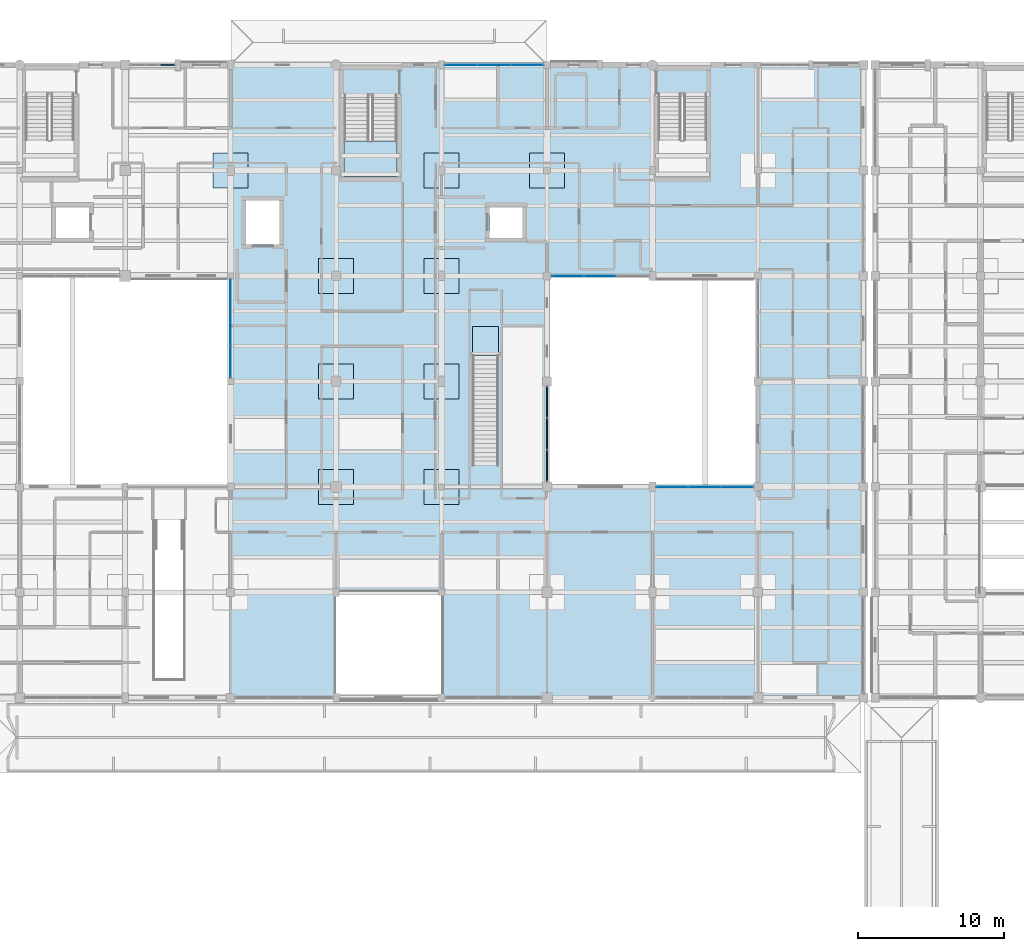
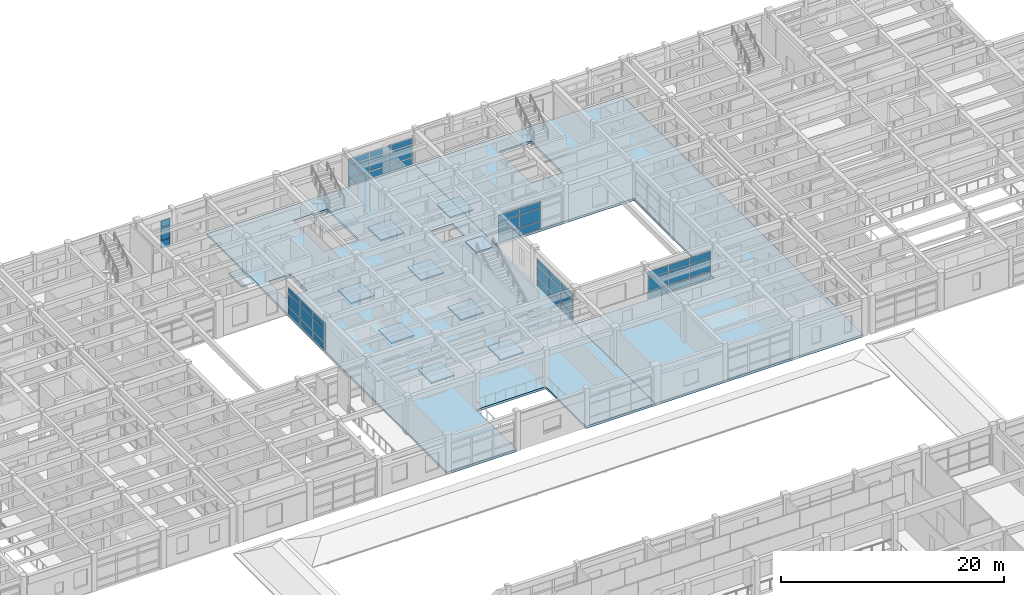
# One storey, part 66 of 110: 45 plates, 13 slabs, 8 elements without a shape of their own.
"""IFC4 building model written with IfcOpenShell, lengths in metres."""

from ifc_helpers import new_model, si_unit, direction, frame, origin, origin_2d, place, context, subcontext, project, spatial, polyline, rectangle, outline, extrude, material, layer, layer_set, type_object, element, aggregate, save


model = new_model("IFC4")

# Units and contexts
model_context = context("Model", 3, precision=1e-05, world=origin(), true_north=direction((0.0, 1.0)))
body_context = subcontext(model_context, "Body", "Model", "MODEL_VIEW")
ifc_project = project(units=[si_unit("LENGTHUNIT", "METRE"), si_unit("AREAUNIT", "SQUARE_METRE"), si_unit("VOLUMEUNIT", "CUBIC_METRE"), si_unit("PLANEANGLEUNIT", "RADIAN"), si_unit("MASSUNIT", "GRAM", prefix="KILO")], contexts=[model_context])

# Site, building, storey
site_placement = place(None, origin())
site = spatial("IfcSite", under=ifc_project, at=site_placement, CompositionType="ELEMENT")
building_placement = place(site_placement, origin())
building = spatial("IfcBuilding", under=site, at=building_placement, Name="Steenspoor Specialist Clinic", CompositionType="ELEMENT")
storey_placement = place(building_placement, frame((0.0, 0.0, 4.800048828125)))
storey = spatial("IfcBuildingStorey", under=building, at=storey_placement, Name="L01", CompositionType="ELEMENT", Elevation=4.800048828125)

# Curtain wall, plates
ifc_material_1 = material(Name="Thermally broken aluminium and low-emissivity glass", Category="aluminium")
curtain_wall_type_1 = type_object("IfcCurtainWallType", Name="CW-WLK-520X340", PredefinedType="USERDEFINED", material=ifc_material_1)
curtain_wall_1_placement = place(storey_placement, origin())
curtain_wall_1 = element("IfcCurtainWall", 1, at=curtain_wall_1_placement, inside=storey, type_object=curtain_wall_type_1, Name="Unitised Curtain Wall CW-V4-L01-069", ObjectType="UNITISED GLAZING", PredefinedType="USERDEFINED")
ifc_material_2 = material(Name="Double low-emissivity insulated glass", Category="glass")
ifc_layer_1 = layer(ifc_material_2, 0.035888671875)
ifc_layer_set_1 = layer_set([ifc_layer_1], Name="Double low-emissivity insulated glass")
plate_type_1 = type_object("IfcPlateType", Name="CW-PAN-GL36", PredefinedType="CURTAIN_PANEL", material=ifc_layer_set_1)
plate_1_placement = place(storey_placement, frame((89.745361328125, 108.35009765625, 0.08984375), z_axis=(0.0, 0.0, 1.0), x_axis=(1.0, 0.0, 0.0)))
plate_1 = element("IfcPlate", 2, at=plate_1_placement, type_object=plate_type_1, Name="CW-21 panel 1.1", PredefinedType="CURTAIN_PANEL", context=body_context, shape_type="SweptSolid", body=[
    extrude(rectangle(XDim=2.160888671875, YDim=0.035888671875, at=origin_2d()), origin(), (0.0, 0.0, 1.0), 0.764892578125),
])
plate_2_placement = place(storey_placement, frame((89.745361328125, 108.35009765625, 0.94482421875), z_axis=(0.0, 0.0, 1.0), x_axis=(1.0, 0.0, 0.0)))
plate_2 = element("IfcPlate", 3, at=plate_2_placement, type_object=plate_type_1, Name="CW-21 panel 1.2", PredefinedType="CURTAIN_PANEL", context=body_context, shape_type="SweptSolid", body=[
    extrude(rectangle(XDim=2.160888671875, YDim=0.035888671875, at=origin_2d()), origin(), (0.0, 0.0, 1.0), 1.360107421875),
])
plate_3_placement = place(storey_placement, frame((89.745361328125, 108.35009765625, 2.39501953125), z_axis=(0.0, 0.0, 1.0), x_axis=(1.0, 0.0, 0.0)))
plate_3 = element("IfcPlate", 4, at=plate_3_placement, type_object=plate_type_1, Name="CW-21 panel 1.3", PredefinedType="CURTAIN_PANEL", context=body_context, shape_type="SweptSolid", body=[
    extrude(rectangle(XDim=2.160888671875, YDim=0.035888671875, at=origin_2d()), origin(), (0.0, 0.0, 1.0), 0.64501953125),
])
plate_4_placement = place(storey_placement, frame((91.987548828125, 108.35009765625, 0.08984375), z_axis=(0.0, 0.0, 1.0), x_axis=(1.0, 0.0, 0.0)))
plate_4 = element("IfcPlate", 5, at=plate_4_placement, type_object=plate_type_1, Name="CW-21 panel 2.1", PredefinedType="CURTAIN_PANEL", context=body_context, shape_type="SweptSolid", body=[
    extrude(rectangle(XDim=2.193359375, YDim=0.035888671875, at=origin_2d()), origin(), (0.0, 0.0, 1.0), 0.764892578125),
])
plate_5_placement = place(storey_placement, frame((91.987548828125, 108.35009765625, 0.94482421875), z_axis=(0.0, 0.0, 1.0), x_axis=(1.0, 0.0, 0.0)))
plate_5 = element("IfcPlate", 6, at=plate_5_placement, type_object=plate_type_1, Name="CW-21 panel 2.2", PredefinedType="CURTAIN_PANEL", context=body_context, shape_type="SweptSolid", body=[
    extrude(rectangle(XDim=2.193359375, YDim=0.035888671875, at=origin_2d()), origin(), (0.0, 0.0, 1.0), 1.360107421875),
])
plate_6_placement = place(storey_placement, frame((91.987548828125, 108.35009765625, 2.39501953125), z_axis=(0.0, 0.0, 1.0), x_axis=(1.0, 0.0, 0.0)))
plate_6 = element("IfcPlate", 7, at=plate_6_placement, type_object=plate_type_1, Name="CW-21 panel 2.3", PredefinedType="CURTAIN_PANEL", context=body_context, shape_type="SweptSolid", body=[
    extrude(rectangle(XDim=2.193359375, YDim=0.035888671875, at=origin_2d()), origin(), (0.0, 0.0, 1.0), 0.64501953125),
])
plate_7_placement = place(storey_placement, frame((94.2294921875, 108.35009765625, 0.08984375), z_axis=(0.0, 0.0, 1.0), x_axis=(1.0, 0.0, 0.0)))
plate_7 = element("IfcPlate", 8, at=plate_7_placement, type_object=plate_type_1, Name="CW-21 panel 3.1", PredefinedType="CURTAIN_PANEL", context=body_context, shape_type="SweptSolid", body=[
    extrude(rectangle(XDim=2.160888671875, YDim=0.035888671875, at=origin_2d()), origin(), (0.0, 0.0, 1.0), 0.764892578125),
])
plate_8_placement = place(storey_placement, frame((94.2294921875, 108.35009765625, 0.94482421875), z_axis=(0.0, 0.0, 1.0), x_axis=(1.0, 0.0, 0.0)))
plate_8 = element("IfcPlate", 9, at=plate_8_placement, type_object=plate_type_1, Name="CW-21 panel 3.2", PredefinedType="CURTAIN_PANEL", context=body_context, shape_type="SweptSolid", body=[
    extrude(rectangle(XDim=2.160888671875, YDim=0.035888671875, at=origin_2d()), origin(), (0.0, 0.0, 1.0), 1.360107421875),
])
plate_9_placement = place(storey_placement, frame((94.2294921875, 108.35009765625, 2.39501953125), z_axis=(0.0, 0.0, 1.0), x_axis=(1.0, 0.0, 0.0)))
plate_9 = element("IfcPlate", 10, at=plate_9_placement, type_object=plate_type_1, Name="CW-21 panel 3.3", PredefinedType="CURTAIN_PANEL", context=body_context, shape_type="SweptSolid", body=[
    extrude(rectangle(XDim=2.160888671875, YDim=0.035888671875, at=origin_2d()), origin(), (0.0, 0.0, 1.0), 0.64501953125),
])
aggregate(curtain_wall_1, [plate_1, plate_2, plate_3, plate_4, plate_5, plate_6, plate_7, plate_8, plate_9])

curtain_wall_type_2 = type_object("IfcCurtainWallType", Name="CW-HALL-480X820", PredefinedType="USERDEFINED", material=ifc_material_1)
curtain_wall_2_placement = place(storey_placement, origin())
curtain_wall_2 = element("IfcCurtainWall", 11, at=curtain_wall_2_placement, inside=storey, type_object=curtain_wall_type_2, Name="Unitised Curtain Wall CW-V4-L01-075", ObjectType="UNITISED GLAZING", PredefinedType="USERDEFINED")
plate_10_placement = place(storey_placement, frame((74.0, 88.120361328125, 0.080078125), z_axis=(0.0, 0.0, 1.0), x_axis=(0.0, 1.0, 0.0)))
plate_10 = element("IfcPlate", 12, at=plate_10_placement, type_object=plate_type_1, Name="CW-03 panel 1.1", PredefinedType="CURTAIN_PANEL", context=body_context, shape_type="SweptSolid", body=[
    extrude(rectangle(XDim=2.160888671875, YDim=0.035888671875, at=origin_2d()), origin(), (0.0, 0.0, 1.0), 0.780029296875),
])
plate_11_placement = place(storey_placement, frame((74.0, 88.120361328125, 0.93994140625), z_axis=(0.0, 0.0, 1.0), x_axis=(0.0, 1.0, 0.0)))
plate_11 = element("IfcPlate", 13, at=plate_11_placement, type_object=plate_type_1, Name="CW-03 panel 1.2", PredefinedType="CURTAIN_PANEL", context=body_context, shape_type="SweptSolid", body=[
    extrude(rectangle(XDim=2.160888671875, YDim=0.035888671875, at=origin_2d()), origin(), (0.0, 0.0, 1.0), 1.3701171875),
])
plate_12_placement = place(storey_placement, frame((74.0, 88.120361328125, 2.39013671875), z_axis=(0.0, 0.0, 1.0), x_axis=(0.0, 1.0, 0.0)))
plate_12 = element("IfcPlate", 14, at=plate_12_placement, type_object=plate_type_1, Name="CW-03 panel 1.3", PredefinedType="CURTAIN_PANEL", context=body_context, shape_type="SweptSolid", body=[
    extrude(rectangle(XDim=2.160888671875, YDim=0.035888671875, at=origin_2d()), origin(), (0.0, 0.0, 1.0), 0.659912109375),
])
plate_13_placement = place(storey_placement, frame((74.0, 90.362548828125, 0.080078125), z_axis=(0.0, 0.0, 1.0), x_axis=(0.0, 1.0, 0.0)))
plate_13 = element("IfcPlate", 15, at=plate_13_placement, type_object=plate_type_1, Name="CW-03 panel 2.1", PredefinedType="CURTAIN_PANEL", context=body_context, shape_type="SweptSolid", body=[
    extrude(rectangle(XDim=2.193359375, YDim=0.035888671875, at=origin_2d()), origin(), (0.0, 0.0, 1.0), 0.780029296875),
])
plate_14_placement = place(storey_placement, frame((74.0, 90.362548828125, 0.93994140625), z_axis=(0.0, 0.0, 1.0), x_axis=(0.0, 1.0, 0.0)))
plate_14 = element("IfcPlate", 16, at=plate_14_placement, type_object=plate_type_1, Name="CW-03 panel 2.2", PredefinedType="CURTAIN_PANEL", context=body_context, shape_type="SweptSolid", body=[
    extrude(rectangle(XDim=2.193359375, YDim=0.035888671875, at=origin_2d()), origin(), (0.0, 0.0, 1.0), 1.3701171875),
])
plate_15_placement = place(storey_placement, frame((74.0, 90.362548828125, 2.39013671875), z_axis=(0.0, 0.0, 1.0), x_axis=(0.0, 1.0, 0.0)))
plate_15 = element("IfcPlate", 17, at=plate_15_placement, type_object=plate_type_1, Name="CW-03 panel 2.3", PredefinedType="CURTAIN_PANEL", context=body_context, shape_type="SweptSolid", body=[
    extrude(rectangle(XDim=2.193359375, YDim=0.035888671875, at=origin_2d()), origin(), (0.0, 0.0, 1.0), 0.659912109375),
])
plate_16_placement = place(storey_placement, frame((74.0, 92.6044921875, 0.080078125), z_axis=(0.0, 0.0, 1.0), x_axis=(0.0, 1.0, 0.0)))
plate_16 = element("IfcPlate", 18, at=plate_16_placement, type_object=plate_type_1, Name="CW-03 panel 3.1", PredefinedType="CURTAIN_PANEL", context=body_context, shape_type="SweptSolid", body=[
    extrude(rectangle(XDim=2.160888671875, YDim=0.035888671875, at=origin_2d()), origin(), (0.0, 0.0, 1.0), 0.780029296875),
])
plate_17_placement = place(storey_placement, frame((74.0, 92.6044921875, 0.93994140625), z_axis=(0.0, 0.0, 1.0), x_axis=(0.0, 1.0, 0.0)))
plate_17 = element("IfcPlate", 19, at=plate_17_placement, type_object=plate_type_1, Name="CW-03 panel 3.2", PredefinedType="CURTAIN_PANEL", context=body_context, shape_type="SweptSolid", body=[
    extrude(rectangle(XDim=2.160888671875, YDim=0.035888671875, at=origin_2d()), origin(), (0.0, 0.0, 1.0), 1.3701171875),
])
plate_18_placement = place(storey_placement, frame((74.0, 92.6044921875, 2.39013671875), z_axis=(0.0, 0.0, 1.0), x_axis=(0.0, 1.0, 0.0)))
plate_18 = element("IfcPlate", 20, at=plate_18_placement, type_object=plate_type_1, Name="CW-03 panel 3.3", PredefinedType="CURTAIN_PANEL", context=body_context, shape_type="SweptSolid", body=[
    extrude(rectangle(XDim=2.160888671875, YDim=0.035888671875, at=origin_2d()), origin(), (0.0, 0.0, 1.0), 0.659912109375),
])
aggregate(curtain_wall_2, [plate_10, plate_11, plate_12, plate_13, plate_14, plate_15, plate_16, plate_17, plate_18])

curtain_wall_type_3 = type_object("IfcCurtainWallType", Name="CW-TYP-660X355", PredefinedType="USERDEFINED", material=ifc_material_1)
curtain_wall_3_placement = place(storey_placement, origin())
curtain_wall_3 = element("IfcCurtainWall", 21, at=curtain_wall_3_placement, inside=storey, type_object=curtain_wall_type_3, Name="Unitised Curtain Wall CW-V4-L01-081", ObjectType="UNITISED GLAZING", PredefinedType="USERDEFINED")
plate_19_placement = place(storey_placement, frame((104.15380859375, 79.550048828125, 0.070068359375), z_axis=(0.0, 0.0, 1.0), x_axis=(1.0, 0.0, 0.0)))
plate_19 = element("IfcPlate", 22, at=plate_19_placement, type_object=plate_type_1, Name="CW-09 panel 1.1", PredefinedType="CURTAIN_PANEL", context=body_context, shape_type="SweptSolid", body=[
    extrude(rectangle(XDim=2.12744140625, YDim=0.035888671875, at=origin_2d()), origin(), (0.0, 0.0, 1.0), 0.794921875),
])
plate_20_placement = place(storey_placement, frame((104.15380859375, 79.550048828125, 0.93505859375), z_axis=(0.0, 0.0, 1.0), x_axis=(1.0, 0.0, 0.0)))
plate_20 = element("IfcPlate", 23, at=plate_20_placement, type_object=plate_type_1, Name="CW-09 panel 1.2", PredefinedType="CURTAIN_PANEL", context=body_context, shape_type="SweptSolid", body=[
    extrude(rectangle(XDim=2.12744140625, YDim=0.035888671875, at=origin_2d()), origin(), (0.0, 0.0, 1.0), 1.3798828125),
])
plate_21_placement = place(storey_placement, frame((104.15380859375, 79.550048828125, 2.384765625), z_axis=(0.0, 0.0, 1.0), x_axis=(1.0, 0.0, 0.0)))
plate_21 = element("IfcPlate", 24, at=plate_21_placement, type_object=plate_type_1, Name="CW-09 panel 1.3", PredefinedType="CURTAIN_PANEL", context=body_context, shape_type="SweptSolid", body=[
    extrude(rectangle(XDim=2.12744140625, YDim=0.035888671875, at=origin_2d()), origin(), (0.0, 0.0, 1.0), 0.675048828125),
])
plate_22_placement = place(storey_placement, frame((106.362548828125, 79.550048828125, 0.070068359375), z_axis=(0.0, 0.0, 1.0), x_axis=(1.0, 0.0, 0.0)))
plate_22 = element("IfcPlate", 25, at=plate_22_placement, type_object=plate_type_1, Name="CW-09 panel 2.1", PredefinedType="CURTAIN_PANEL", context=body_context, shape_type="SweptSolid", body=[
    extrude(rectangle(XDim=2.159912109375, YDim=0.035888671875, at=origin_2d()), origin(), (0.0, 0.0, 1.0), 0.794921875),
])
plate_23_placement = place(storey_placement, frame((106.362548828125, 79.550048828125, 0.93505859375), z_axis=(0.0, 0.0, 1.0), x_axis=(1.0, 0.0, 0.0)))
plate_23 = element("IfcPlate", 26, at=plate_23_placement, type_object=plate_type_1, Name="CW-09 panel 2.2", PredefinedType="CURTAIN_PANEL", context=body_context, shape_type="SweptSolid", body=[
    extrude(rectangle(XDim=2.159912109375, YDim=0.035888671875, at=origin_2d()), origin(), (0.0, 0.0, 1.0), 1.3798828125),
])
plate_24_placement = place(storey_placement, frame((106.362548828125, 79.550048828125, 2.384765625), z_axis=(0.0, 0.0, 1.0), x_axis=(1.0, 0.0, 0.0)))
plate_24 = element("IfcPlate", 27, at=plate_24_placement, type_object=plate_type_1, Name="CW-09 panel 2.3", PredefinedType="CURTAIN_PANEL", context=body_context, shape_type="SweptSolid", body=[
    extrude(rectangle(XDim=2.159912109375, YDim=0.035888671875, at=origin_2d()), origin(), (0.0, 0.0, 1.0), 0.675048828125),
])
plate_25_placement = place(storey_placement, frame((108.5712890625, 79.550048828125, 0.070068359375), z_axis=(0.0, 0.0, 1.0), x_axis=(1.0, 0.0, 0.0)))
plate_25 = element("IfcPlate", 28, at=plate_25_placement, type_object=plate_type_1, Name="CW-09 panel 3.1", PredefinedType="CURTAIN_PANEL", context=body_context, shape_type="SweptSolid", body=[
    extrude(rectangle(XDim=2.12744140625, YDim=0.035888671875, at=origin_2d()), origin(), (0.0, 0.0, 1.0), 0.794921875),
])
plate_26_placement = place(storey_placement, frame((108.5712890625, 79.550048828125, 0.93505859375), z_axis=(0.0, 0.0, 1.0), x_axis=(1.0, 0.0, 0.0)))
plate_26 = element("IfcPlate", 29, at=plate_26_placement, type_object=plate_type_1, Name="CW-09 panel 3.2", PredefinedType="CURTAIN_PANEL", context=body_context, shape_type="SweptSolid", body=[
    extrude(rectangle(XDim=2.12744140625, YDim=0.035888671875, at=origin_2d()), origin(), (0.0, 0.0, 1.0), 1.3798828125),
])
plate_27_placement = place(storey_placement, frame((108.5712890625, 79.550048828125, 2.384765625), z_axis=(0.0, 0.0, 1.0), x_axis=(1.0, 0.0, 0.0)))
plate_27 = element("IfcPlate", 30, at=plate_27_placement, type_object=plate_type_1, Name="CW-09 panel 3.3", PredefinedType="CURTAIN_PANEL", context=body_context, shape_type="SweptSolid", body=[
    extrude(rectangle(XDim=2.12744140625, YDim=0.035888671875, at=origin_2d()), origin(), (0.0, 0.0, 1.0), 0.675048828125),
])
aggregate(curtain_wall_3, [plate_19, plate_20, plate_21, plate_22, plate_23, plate_24, plate_25, plate_26, plate_27])

curtain_wall_type_4 = type_object("IfcCurtainWallType", Name="CW-L00-360X415", PredefinedType="USERDEFINED", material=ifc_material_1)
curtain_wall_4_placement = place(storey_placement, origin())
curtain_wall_4 = element("IfcCurtainWall", 31, at=curtain_wall_4_placement, inside=storey, type_object=curtain_wall_type_4, Name="Unitised Curtain Wall CW-V4-L01-079", ObjectType="UNITISED GLAZING", PredefinedType="USERDEFINED")
ifc_material_3 = material(Name="Triple acoustic laminated low-emissivity glass", Category="glass")
ifc_layer_2 = layer(ifc_material_3, 0.048095703125)
ifc_layer_set_2 = layer_set([ifc_layer_2], Name="Triple acoustic laminated low-emissivity glass")
plate_type_2 = type_object("IfcPlateType", Name="CW-PAN-GL48", PredefinedType="CURTAIN_PANEL", material=ifc_layer_set_2)
plate_28_placement = place(storey_placement, frame((99.22509765625, 93.949951171875, 0.08984375), z_axis=(0.0, 0.0, 1.0), x_axis=(-1.0, 0.0, 0.0)))
plate_28 = element("IfcPlate", 32, at=plate_28_placement, type_object=plate_type_2, Name="CW-07 panel 2.1", PredefinedType="CURTAIN_PANEL", context=body_context, shape_type="SweptSolid", body=[
    extrude(rectangle(XDim=2.1533203125, YDim=0.048095703125, at=origin_2d()), origin(), (0.0, 0.0, 1.0), 0.764892578125),
])
plate_29_placement = place(storey_placement, frame((99.22509765625, 93.949951171875, 0.94482421875), z_axis=(0.0, 0.0, 1.0), x_axis=(-1.0, 0.0, 0.0)))
plate_29 = element("IfcPlate", 33, at=plate_29_placement, type_object=plate_type_2, Name="CW-07 panel 2.2", PredefinedType="CURTAIN_PANEL", context=body_context, shape_type="SweptSolid", body=[
    extrude(rectangle(XDim=2.1533203125, YDim=0.048095703125, at=origin_2d()), origin(), (0.0, 0.0, 1.0), 1.360107421875),
])
plate_30_placement = place(storey_placement, frame((99.22509765625, 93.949951171875, 2.39501953125), z_axis=(0.0, 0.0, 1.0), x_axis=(-1.0, 0.0, 0.0)))
plate_30 = element("IfcPlate", 34, at=plate_30_placement, type_object=plate_type_2, Name="CW-07 panel 2.3", PredefinedType="CURTAIN_PANEL", context=body_context, shape_type="SweptSolid", body=[
    extrude(rectangle(XDim=2.1533203125, YDim=0.048095703125, at=origin_2d()), origin(), (0.0, 0.0, 1.0), 0.64501953125),
])
plate_31_placement = place(storey_placement, frame((97.01171875, 93.949951171875, 0.08984375), z_axis=(0.0, 0.0, 1.0), x_axis=(-1.0, 0.0, 0.0)))
plate_31 = element("IfcPlate", 35, at=plate_31_placement, type_object=plate_type_2, Name="CW-07 panel 3.1", PredefinedType="CURTAIN_PANEL", context=body_context, shape_type="SweptSolid", body=[
    extrude(rectangle(XDim=2.11328125, YDim=0.048095703125, at=origin_2d()), origin(), (0.0, 0.0, 1.0), 0.764892578125),
])
plate_32_placement = place(storey_placement, frame((97.01171875, 93.949951171875, 0.94482421875), z_axis=(0.0, 0.0, 1.0), x_axis=(-1.0, 0.0, 0.0)))
plate_32 = element("IfcPlate", 36, at=plate_32_placement, type_object=plate_type_2, Name="CW-07 panel 3.2", PredefinedType="CURTAIN_PANEL", context=body_context, shape_type="SweptSolid", body=[
    extrude(rectangle(XDim=2.11328125, YDim=0.048095703125, at=origin_2d()), origin(), (0.0, 0.0, 1.0), 1.360107421875),
])
plate_33_placement = place(storey_placement, frame((97.01171875, 93.949951171875, 2.39501953125), z_axis=(0.0, 0.0, 1.0), x_axis=(-1.0, 0.0, 0.0)))
plate_33 = element("IfcPlate", 37, at=plate_33_placement, type_object=plate_type_2, Name="CW-07 panel 3.3", PredefinedType="CURTAIN_PANEL", context=body_context, shape_type="SweptSolid", body=[
    extrude(rectangle(XDim=2.11328125, YDim=0.048095703125, at=origin_2d()), origin(), (0.0, 0.0, 1.0), 0.64501953125),
])
aggregate(curtain_wall_4, [plate_28, plate_29, plate_30, plate_31, plate_32, plate_33])

curtain_wall_type_5 = type_object("IfcCurtainWallType", Name="CW-WLK-640X340", PredefinedType="USERDEFINED", material=ifc_material_1)
curtain_wall_5_placement = place(storey_placement, origin())
curtain_wall_5 = element("IfcCurtainWall", 38, at=curtain_wall_5_placement, inside=storey, type_object=curtain_wall_type_5, Name="Unitised Curtain Wall CW-V4-L01-068", ObjectType="UNITISED GLAZING", PredefinedType="USERDEFINED")
ifc_material_4 = material(Name="Insulated glazed ceramic spandrel panel", Category="glass")
ifc_layer_3 = layer(ifc_material_4, 0.074951171875)
ifc_layer_set_3 = layer_set([ifc_layer_3], Name="Insulated glazed ceramic spandrel panel")
plate_type_3 = type_object("IfcPlateType", Name="CW-PAN-SP75", PredefinedType="CURTAIN_PANEL", material=ifc_layer_set_3)
plate_34_placement = place(storey_placement, frame((69.67822265625, 108.35009765625, 0.059814453125), z_axis=(0.0, 0.0, 1.0), x_axis=(1.0, 0.0, 0.0)))
plate_34 = element("IfcPlate", 39, at=plate_34_placement, type_object=plate_type_3, Name="CW-20 panel 3.1", PredefinedType="CURTAIN_PANEL", context=body_context, shape_type="SweptSolid", body=[
    extrude(rectangle(XDim=0.92333984375, YDim=0.074951171875, at=origin_2d()), origin(), (0.0, 0.0, 1.0), 0.81005859375),
])
plate_35_placement = place(storey_placement, frame((69.67822265625, 108.35009765625, 0.93017578125), z_axis=(0.0, 0.0, 1.0), x_axis=(1.0, 0.0, 0.0)))
plate_35 = element("IfcPlate", 40, at=plate_35_placement, type_object=plate_type_3, Name="CW-20 panel 3.2", PredefinedType="CURTAIN_PANEL", context=body_context, shape_type="SweptSolid", body=[
    extrude(rectangle(XDim=0.92333984375, YDim=0.074951171875, at=origin_2d()), origin(), (0.0, 0.0, 1.0), 1.389892578125),
])
plate_36_placement = place(storey_placement, frame((69.67822265625, 108.35009765625, 2.3798828125), z_axis=(0.0, 0.0, 1.0), x_axis=(1.0, 0.0, 0.0)))
plate_36 = element("IfcPlate", 41, at=plate_36_placement, type_object=plate_type_3, Name="CW-20 panel 3.3", PredefinedType="CURTAIN_PANEL", context=body_context, shape_type="SweptSolid", body=[
    extrude(rectangle(XDim=0.92333984375, YDim=0.074951171875, at=origin_2d()), origin(), (0.0, 0.0, 1.0), 0.68994140625),
])
aggregate(curtain_wall_5, [plate_34, plate_35, plate_36])

curtain_wall_type_6 = type_object("IfcCurtainWallType", Name="CW-L00-240X415", PredefinedType="USERDEFINED", material=ifc_material_1)
curtain_wall_6_placement = place(storey_placement, origin())
curtain_wall_6 = element("IfcCurtainWall", 42, at=curtain_wall_6_placement, inside=storey, type_object=curtain_wall_type_6, Name="Unitised Curtain Wall CW-V4-L01-080", ObjectType="UNITISED GLAZING", PredefinedType="USERDEFINED")
plate_37_placement = place(storey_placement, frame((95.60009765625, 85.336669921875, 0.080078125), z_axis=(0.0, 0.0, 1.0), x_axis=(0.0, -1.0, 0.0)))
plate_37 = element("IfcPlate", 43, at=plate_37_placement, type_object=plate_type_3, Name="CW-08 panel 1.1", PredefinedType="CURTAIN_PANEL", context=body_context, shape_type="SweptSolid", body=[
    extrude(rectangle(XDim=2.086669921875, YDim=0.074951171875, at=origin_2d()), origin(), (0.0, 0.0, 1.0), 0.780029296875),
])
plate_38_placement = place(storey_placement, frame((95.60009765625, 85.336669921875, 0.93994140625), z_axis=(0.0, 0.0, 1.0), x_axis=(0.0, -1.0, 0.0)))
plate_38 = element("IfcPlate", 44, at=plate_38_placement, type_object=plate_type_3, Name="CW-08 panel 1.2", PredefinedType="CURTAIN_PANEL", context=body_context, shape_type="SweptSolid", body=[
    extrude(rectangle(XDim=2.086669921875, YDim=0.074951171875, at=origin_2d()), origin(), (0.0, 0.0, 1.0), 1.3701171875),
])
plate_39_placement = place(storey_placement, frame((95.60009765625, 85.336669921875, 2.39013671875), z_axis=(0.0, 0.0, 1.0), x_axis=(0.0, -1.0, 0.0)))
plate_39 = element("IfcPlate", 45, at=plate_39_placement, type_object=plate_type_3, Name="CW-08 panel 1.3", PredefinedType="CURTAIN_PANEL", context=body_context, shape_type="SweptSolid", body=[
    extrude(rectangle(XDim=2.086669921875, YDim=0.074951171875, at=origin_2d()), origin(), (0.0, 0.0, 1.0), 0.659912109375),
])
plate_40_placement = place(storey_placement, frame((95.60009765625, 83.16259765625, 0.080078125), z_axis=(0.0, 0.0, 1.0), x_axis=(0.0, -1.0, 0.0)))
plate_40 = element("IfcPlate", 46, at=plate_40_placement, type_object=plate_type_3, Name="CW-08 panel 2.1", PredefinedType="CURTAIN_PANEL", context=body_context, shape_type="SweptSolid", body=[
    extrude(rectangle(XDim=2.12158203125, YDim=0.074951171875, at=origin_2d()), origin(), (0.0, 0.0, 1.0), 0.780029296875),
])
plate_41_placement = place(storey_placement, frame((95.60009765625, 83.16259765625, 0.93994140625), z_axis=(0.0, 0.0, 1.0), x_axis=(0.0, -1.0, 0.0)))
plate_41 = element("IfcPlate", 47, at=plate_41_placement, type_object=plate_type_3, Name="CW-08 panel 2.2", PredefinedType="CURTAIN_PANEL", context=body_context, shape_type="SweptSolid", body=[
    extrude(rectangle(XDim=2.12158203125, YDim=0.074951171875, at=origin_2d()), origin(), (0.0, 0.0, 1.0), 1.3701171875),
])
plate_42_placement = place(storey_placement, frame((95.60009765625, 83.16259765625, 2.39013671875), z_axis=(0.0, 0.0, 1.0), x_axis=(0.0, -1.0, 0.0)))
plate_42 = element("IfcPlate", 48, at=plate_42_placement, type_object=plate_type_3, Name="CW-08 panel 2.3", PredefinedType="CURTAIN_PANEL", context=body_context, shape_type="SweptSolid", body=[
    extrude(rectangle(XDim=2.12158203125, YDim=0.074951171875, at=origin_2d()), origin(), (0.0, 0.0, 1.0), 0.659912109375),
])
plate_43_placement = place(storey_placement, frame((95.60009765625, 80.98828125, 0.080078125), z_axis=(0.0, 0.0, 1.0), x_axis=(0.0, -1.0, 0.0)))
plate_43 = element("IfcPlate", 49, at=plate_43_placement, type_object=plate_type_3, Name="CW-08 panel 3.1", PredefinedType="CURTAIN_PANEL", context=body_context, shape_type="SweptSolid", body=[
    extrude(rectangle(XDim=2.086669921875, YDim=0.074951171875, at=origin_2d()), origin(), (0.0, 0.0, 1.0), 0.780029296875),
])
plate_44_placement = place(storey_placement, frame((95.60009765625, 80.98828125, 0.93994140625), z_axis=(0.0, 0.0, 1.0), x_axis=(0.0, -1.0, 0.0)))
plate_44 = element("IfcPlate", 50, at=plate_44_placement, type_object=plate_type_3, Name="CW-08 panel 3.2", PredefinedType="CURTAIN_PANEL", context=body_context, shape_type="SweptSolid", body=[
    extrude(rectangle(XDim=2.086669921875, YDim=0.074951171875, at=origin_2d()), origin(), (0.0, 0.0, 1.0), 1.3701171875),
])
plate_45_placement = place(storey_placement, frame((95.60009765625, 80.98828125, 2.39013671875), z_axis=(0.0, 0.0, 1.0), x_axis=(0.0, -1.0, 0.0)))
plate_45 = element("IfcPlate", 51, at=plate_45_placement, type_object=plate_type_3, Name="CW-08 panel 3.3", PredefinedType="CURTAIN_PANEL", context=body_context, shape_type="SweptSolid", body=[
    extrude(rectangle(XDim=2.086669921875, YDim=0.074951171875, at=origin_2d()), origin(), (0.0, 0.0, 1.0), 0.659912109375),
])
aggregate(curtain_wall_6, [plate_37, plate_38, plate_39, plate_40, plate_41, plate_42, plate_43, plate_44, plate_45])

# Slabs
ifc_material_5 = material(Name="Concrete C35/45", Category="concrete")
ifc_layer_4 = layer(ifc_material_5, 0.169921875)
ifc_layer_set_4 = layer_set([ifc_layer_4], Name="Concrete C35/45")
slab_type_1 = type_object("IfcSlabType", Name="SL-DROP-170", PredefinedType="USERDEFINED", material=ifc_layer_set_4)
slab_1_placement = place(storey_placement, frame((0.0, 0.0, -0.420166015625)))
element("IfcSlab", 52, at=slab_1_placement, inside=storey, type_object=slab_type_1, Name="Column Drop Panel DROP-V4-L01-023", ObjectType="DROP PANEL", PredefinedType="USERDEFINED", context=body_context, shape_type="SweptSolid", body=[
    extrude(outline(polyline([(75.199951171875, 99.949951171875), (75.199951171875, 102.35009765625), (72.800048828125, 102.35009765625), (72.800048828125, 99.949951171875), (75.199951171875, 99.949951171875)])), origin(), (0.0, 0.0, 1.0), 0.170166015625),
])
slab_2_placement = place(storey_placement, frame((0.0, 0.0, -0.420166015625)))
element("IfcSlab", 53, at=slab_2_placement, inside=storey, type_object=slab_type_1, Name="Column Drop Panel DROP-V4-L01-024", ObjectType="DROP PANEL", PredefinedType="USERDEFINED", context=body_context, shape_type="SweptSolid", body=[
    extrude(outline(polyline([(82.39990234375, 78.35009765625), (82.39990234375, 80.75), (80.0, 80.75), (80.0, 78.35009765625), (82.39990234375, 78.35009765625)])), origin(), (0.0, 0.0, 1.0), 0.170166015625),
])
slab_3_placement = place(storey_placement, frame((0.0, 0.0, -0.420166015625)))
element("IfcSlab", 54, at=slab_3_placement, inside=storey, type_object=slab_type_1, Name="Column Drop Panel DROP-V4-L01-025", ObjectType="DROP PANEL", PredefinedType="USERDEFINED", context=body_context, shape_type="SweptSolid", body=[
    extrude(outline(polyline([(82.39990234375, 85.550048828125), (82.39990234375, 87.949951171875), (80.0, 87.949951171875), (80.0, 85.550048828125), (82.39990234375, 85.550048828125)])), origin(), (0.0, 0.0, 1.0), 0.170166015625),
])
slab_4_placement = place(storey_placement, frame((0.0, 0.0, -0.420166015625)))
element("IfcSlab", 55, at=slab_4_placement, inside=storey, type_object=slab_type_1, Name="Column Drop Panel DROP-V4-L01-026", ObjectType="DROP PANEL", PredefinedType="USERDEFINED", context=body_context, shape_type="SweptSolid", body=[
    extrude(outline(polyline([(82.39990234375, 92.75), (82.39990234375, 95.14990234375), (80.0, 95.14990234375), (80.0, 92.75), (82.39990234375, 92.75)])), origin(), (0.0, 0.0, 1.0), 0.170166015625),
])
slab_5_placement = place(storey_placement, frame((0.0, 0.0, -0.420166015625)))
element("IfcSlab", 56, at=slab_5_placement, inside=storey, type_object=slab_type_1, Name="Column Drop Panel DROP-V4-L01-027", ObjectType="DROP PANEL", PredefinedType="USERDEFINED", context=body_context, shape_type="SweptSolid", body=[
    extrude(outline(polyline([(89.60009765625, 78.35009765625), (89.60009765625, 80.75), (87.199951171875, 80.75), (87.199951171875, 78.35009765625), (89.60009765625, 78.35009765625)])), origin(), (0.0, 0.0, 1.0), 0.170166015625),
])
slab_6_placement = place(storey_placement, frame((0.0, 0.0, -0.420166015625)))
element("IfcSlab", 57, at=slab_6_placement, inside=storey, type_object=slab_type_1, Name="Column Drop Panel DROP-V4-L01-028", ObjectType="DROP PANEL", PredefinedType="USERDEFINED", context=body_context, shape_type="SweptSolid", body=[
    extrude(outline(polyline([(89.60009765625, 85.550048828125), (89.60009765625, 87.949951171875), (87.199951171875, 87.949951171875), (87.199951171875, 85.550048828125), (89.60009765625, 85.550048828125)])), origin(), (0.0, 0.0, 1.0), 0.170166015625),
])
slab_7_placement = place(storey_placement, frame((0.0, 0.0, -0.420166015625)))
element("IfcSlab", 58, at=slab_7_placement, inside=storey, type_object=slab_type_1, Name="Column Drop Panel DROP-V4-L01-029", ObjectType="DROP PANEL", PredefinedType="USERDEFINED", context=body_context, shape_type="SweptSolid", body=[
    extrude(outline(polyline([(89.60009765625, 92.75), (89.60009765625, 95.14990234375), (87.199951171875, 95.14990234375), (87.199951171875, 92.75), (89.60009765625, 92.75)])), origin(), (0.0, 0.0, 1.0), 0.170166015625),
])
slab_8_placement = place(storey_placement, frame((0.0, 0.0, -0.420166015625)))
element("IfcSlab", 59, at=slab_8_placement, inside=storey, type_object=slab_type_1, Name="Column Drop Panel DROP-V4-L01-030", ObjectType="DROP PANEL", PredefinedType="USERDEFINED", context=body_context, shape_type="SweptSolid", body=[
    extrude(outline(polyline([(89.60009765625, 99.949951171875), (89.60009765625, 102.35009765625), (87.199951171875, 102.35009765625), (87.199951171875, 99.949951171875), (89.60009765625, 99.949951171875)])), origin(), (0.0, 0.0, 1.0), 0.170166015625),
])
slab_9_placement = place(storey_placement, frame((0.0, 0.0, -0.420166015625)))
element("IfcSlab", 60, at=slab_9_placement, inside=storey, type_object=slab_type_1, Name="Column Drop Panel DROP-V4-L01-032", ObjectType="DROP PANEL", PredefinedType="USERDEFINED", context=body_context, shape_type="SweptSolid", body=[
    extrude(outline(polyline([(96.800048828125, 99.949951171875), (96.800048828125, 102.35009765625), (94.39990234375, 102.35009765625), (94.39990234375, 99.949951171875), (96.800048828125, 99.949951171875)])), origin(), (0.0, 0.0, 1.0), 0.170166015625),
])
ifc_layer_5 = layer(ifc_material_5, 0.25)
ifc_layer_set_5 = layer_set([ifc_layer_5], Name="Concrete C35/45")
slab_type_2 = type_object("IfcSlabType", Name="SL-FLAT-250", PredefinedType="FLOOR", material=ifc_layer_set_5)
slab_10_placement = place(storey_placement, frame((0.0, 0.0, -0.25)))
element("IfcSlab", 61, at=slab_10_placement, inside=storey, type_object=slab_type_2, Name="Structural Slab SLAB-V4-L01-017", PredefinedType="FLOOR", context=body_context, shape_type="SweptSolid", body=[
    extrude(outline(polyline([(88.39990234375, 72.35009765625), (81.199951171875, 72.35009765625), (81.199951171875, 65.14990234375), (74.0, 65.14990234375), (74.0, 79.550048828125), (74.0, 93.949951171875), (74.0, 108.35009765625), (95.60009765625, 108.35009765625), (95.60009765625, 93.949951171875), (95.60009765625, 79.550048828125), (95.60009765625, 65.14990234375), (88.39990234375, 65.14990234375), (88.39990234375, 72.35009765625)]), holes=[polyline([(75.050048828125, 99.10009765625), (75.050048828125, 96.10009765625), (77.35009765625, 96.10009765625), (77.35009765625, 99.10009765625), (75.050048828125, 99.10009765625)]), polyline([(93.925048828125, 98.64990234375), (91.675048828125, 98.64990234375), (91.675048828125, 96.550048828125), (93.925048828125, 96.550048828125), (93.925048828125, 98.64990234375)]), polyline([(81.75, 106.280029296875), (81.75, 100.699951171875), (85.35009765625, 100.699951171875), (85.35009765625, 106.280029296875), (81.75, 106.280029296875)])]), origin(), (0.0, 0.0, 1.0), 0.25),
])
slab_11_placement = place(storey_placement, frame((0.0, 0.0, -0.25)))
element("IfcSlab", 62, at=slab_11_placement, inside=storey, type_object=slab_type_2, Name="Structural Slab SLAB-V4-L01-018", PredefinedType="FLOOR", context=body_context, shape_type="SweptSolid", body=[
    extrude(outline(polyline([(117.199951171875, 108.35009765625), (117.199951171875, 93.949951171875), (117.199951171875, 79.550048828125), (117.199951171875, 65.14990234375), (95.60009765625, 65.14990234375), (95.60009765625, 79.550048828125), (110.0, 79.550048828125), (110.0, 93.949951171875), (95.60009765625, 93.949951171875), (95.60009765625, 108.35009765625), (117.199951171875, 108.35009765625)]), holes=[polyline([(106.5, 106.35009765625), (103.199951171875, 106.35009765625), (103.199951171875, 100.699951171875), (106.5, 100.699951171875), (106.5, 106.35009765625)])]), origin(), (0.0, 0.0, 1.0), 0.25),
])

# Stair, slab
stair_type_1 = type_object("IfcStairType", Name="ST-CORE-WD", PredefinedType="HALF_TURN_STAIR", material=ifc_material_5)
stair_1_placement = place(storey_placement, origin())
stair_1 = element("IfcStair", 63, at=stair_1_placement, inside=storey, type_object=stair_type_1, Name="L01 Enclosed Exit Stair ST-V4C", PredefinedType="HALF_TURN_STAIR")
ifc_layer_6 = layer(ifc_material_5, 0.199951171875)
ifc_layer_set_6 = layer_set([ifc_layer_6], Name="Concrete C35/45")
slab_type_3 = type_object("IfcSlabType", Name="SL-LAND-200", PredefinedType="LANDING", material=ifc_layer_set_6)
slab_12_placement = place(storey_placement, frame((0.0, 0.0, 1.89990234375)))
slab_12 = element("IfcSlab", 64, at=slab_12_placement, type_object=slab_type_3, Name="ST-V4C landing 1", PredefinedType="LANDING", context=body_context, shape_type="SweptSolid", body=[
    extrude(outline(polyline([(81.75, 103.14501953125), (81.75, 100.699951171875), (85.35009765625, 100.699951171875), (85.35009765625, 103.14501953125), (81.75, 103.14501953125)])), origin(), (0.0, 0.0, 1.0), 0.199951171875),
])
aggregate(stair_1, [slab_12])

stair_type_2 = type_object("IfcStairType", Name="ST-FEAT-TYP", PredefinedType="STRAIGHT_RUN_STAIR", material=ifc_material_5)
stair_2_placement = place(storey_placement, origin())
stair_2 = element("IfcStair", 65, at=stair_2_placement, inside=storey, type_object=stair_type_2, Name="Feature Atrium Stair ST-F03", PredefinedType="STRAIGHT_RUN_STAIR")
slab_13_placement = place(storey_placement, frame((0.0, 0.0, 4.0)))
slab_13 = element("IfcSlab", 66, at=slab_13_placement, type_object=slab_type_3, Name="ST-F03 landing 1", PredefinedType="LANDING", context=body_context, shape_type="SweptSolid", body=[
    extrude(outline(polyline([(90.5, 88.5), (92.300048828125, 88.5), (92.300048828125, 90.5), (90.5, 90.5), (90.5, 88.5)])), origin(), (0.0, 0.0, 1.0), 0.199951171875),
])
aggregate(stair_2, [slab_13])

save(model, "model.ifc")
